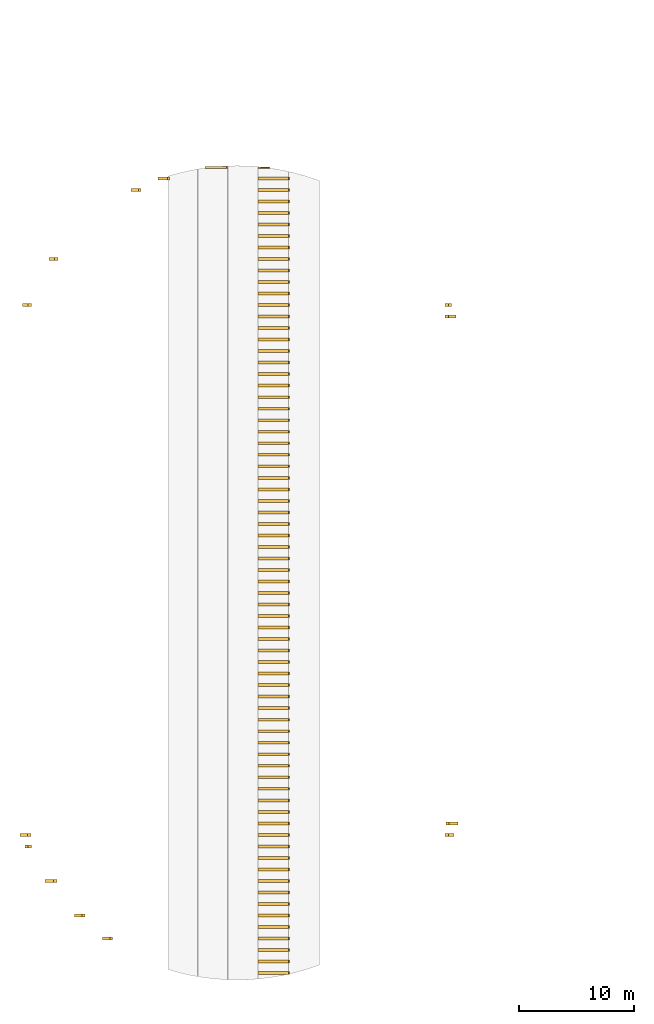
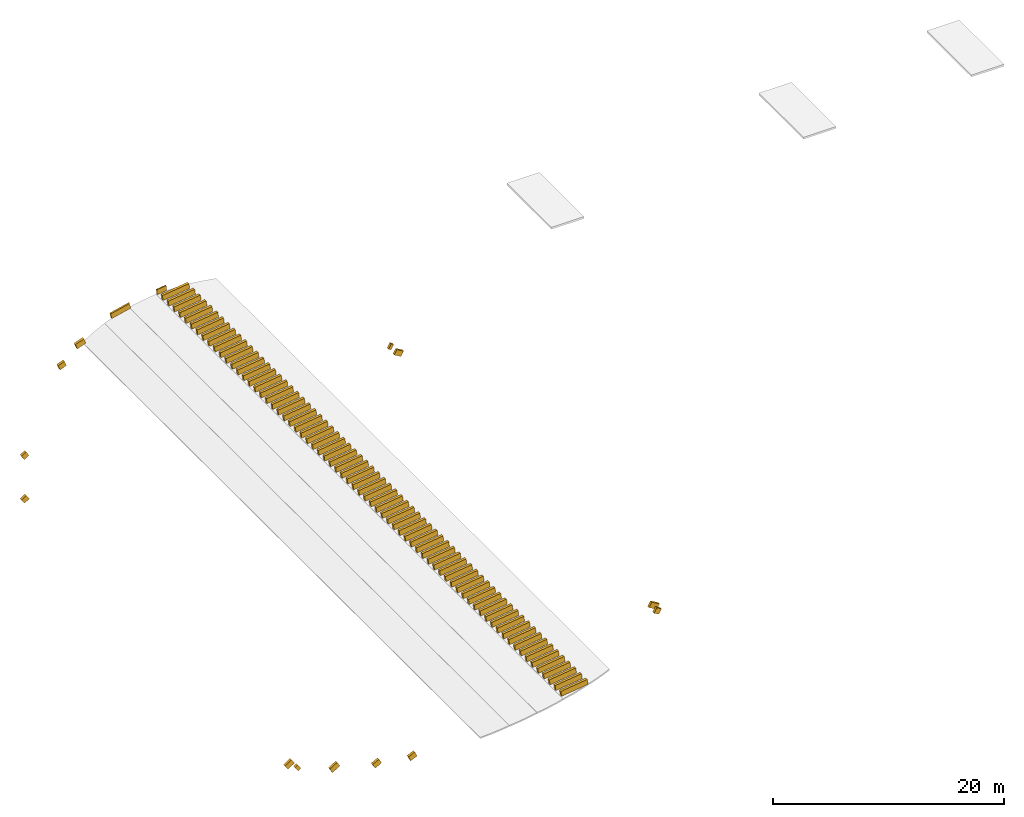
# One storey, part 2 of 2: 85 coverings.
"""IFC4 building model written with IfcOpenShell, lengths in metres."""

import ifcopenshell
import ifcopenshell.guid

model = None  # the IFC model being written
_history = None  # IfcOwnerHistory: only IFC2X3 demands one
_inside = {}  # id of a spatial element -> (the spatial element, [elements in it])
_under = {}  # id of a project, library or spatial element -> (it, [spatial elements below it])
_declared = {}  # id of a project -> (the project, [libraries it declares])
_typed = {}  # id of a type object -> (the type object, [elements of that type])
_made_of = {}  # id of a material, layer set ... -> (it, [elements and type objects made of it])


def new_model(schema):
    """Start an empty IFC model of exactly this schema.

    Asked for "IFC4X3", IfcOpenShell would pick the latest addendum, in which some entities
    have other attributes; the version numbers below select the first issue.
    IFC2X3 requires an IfcOwnerHistory on every rooted entity: one is made here for all.
    """
    global model, _history
    if schema == "IFC4X3":
        model = ifcopenshell.file(schema_version=(4, 3, 0, 0))
    else:
        model = ifcopenshell.file(schema=schema)
    _inside.clear()
    _under.clear()
    _declared.clear()
    _typed.clear()
    _made_of.clear()
    _history = None
    if model.schema == "IFC2X3":
        org = make("IfcOrganization", Name="unknown")
        user = make(
            "IfcPersonAndOrganization",
            ThePerson=make("IfcPerson", FamilyName="unknown"),
            TheOrganization=org,
        )
        app = make(
            "IfcApplication",
            ApplicationDeveloper=org,
            Version="unknown",
            ApplicationFullName="unknown",
            ApplicationIdentifier="unknown",
        )
        _history = make(
            "IfcOwnerHistory",
            OwningUser=user,
            OwningApplication=app,
            ChangeAction="ADDED",
            CreationDate=0,
        )
    return model


def make(cls, **values):
    """One entity of the class cls with the attributes given. An attribute that is None is left unset."""
    return model.create_entity(
        cls, **{name: value for name, value in values.items() if value is not None}
    )


def rooted(cls, **values):
    """An entity with a GlobalId (a new one), such as an element, a storey or a relation."""
    return make(cls, GlobalId=ifcopenshell.guid.new(), OwnerHistory=_history, **values)


def si_unit(unit_type, name, prefix=None):
    """IfcSIUnit, for example si_unit("LENGTHUNIT", "METRE", prefix="MILLI")."""
    return make("IfcSIUnit", UnitType=unit_type, Prefix=prefix, Name=name)


def assignment(units):
    """IfcUnitAssignment: the units of a project."""
    return None if units is None else make("IfcUnitAssignment", Units=units)


def point(xyz):
    """IfcCartesianPoint."""
    return None if xyz is None else make("IfcCartesianPoint", Coordinates=xyz)


def direction(xyz):
    """IfcDirection."""
    return None if xyz is None else make("IfcDirection", DirectionRatios=xyz)


def frame(location, z_axis=None, x_axis=None):
    """IfcAxis2Placement3D, a coordinate frame: its origin and axes. An axis left out is left unset."""
    return make(
        "IfcAxis2Placement3D",
        Location=point(location),
        Axis=direction(z_axis),
        RefDirection=direction(x_axis),
    )


def origin():
    """The frame at (0, 0, 0) with its axes left unset."""
    return frame((0.0, 0.0, 0.0))


def place(relative_to, where):
    """IfcLocalPlacement: puts the frame where relative to a parent placement (None: the world)."""
    return make(
        "IfcLocalPlacement", PlacementRelTo=relative_to, RelativePlacement=where
    )


def context(
    kind, dimensions, precision=None, world=None, true_north=None, identifier=None
):
    """IfcGeometricRepresentationContext, for example the 3D "Model" context."""
    return make(
        "IfcGeometricRepresentationContext",
        ContextIdentifier=identifier,
        ContextType=kind,
        CoordinateSpaceDimension=dimensions,
        Precision=precision,
        WorldCoordinateSystem=world,
        TrueNorth=true_north,
    )


def subcontext(parent, identifier, kind, view, scale=None):
    """IfcGeometricRepresentationSubContext, for example "Body" below "Model"."""
    return make(
        "IfcGeometricRepresentationSubContext",
        ContextIdentifier=identifier,
        ContextType=kind,
        ParentContext=parent,
        TargetScale=scale,
        TargetView=view,
    )


def project(units=None, contexts=None):
    """IfcProject with its units and contexts."""
    return rooted(
        "IfcProject",
        Name="project",
        RepresentationContexts=contexts,
        UnitsInContext=assignment(units),
    )


def spatial(cls, under=None, at=None, **own):
    """A site, building, storey or space (cls), placed at a placement, below another one or the project."""
    s = rooted(cls, ObjectPlacement=at, **own)
    if under is not None:
        _under.setdefault(under.id(), (under, []))[1].append(s)
    return s


def polyline(points):
    """IfcPolyline through the points."""
    return make("IfcPolyline", Points=[point(p) for p in points])


def outline(outer, holes=None, kind="AREA"):
    """IfcArbitraryClosedProfileDef: a profile drawn as a closed curve; with holes, ...WithVoids."""
    if holes is None:
        return make("IfcArbitraryClosedProfileDef", ProfileType=kind, OuterCurve=outer)
    return make(
        "IfcArbitraryProfileDefWithVoids",
        ProfileType=kind,
        OuterCurve=outer,
        InnerCurves=holes,
    )


def extrude(swept, where, along, depth):
    """IfcExtrudedAreaSolid: the profile swept, set in the frame where, extruded along a direction by depth."""
    return make(
        "IfcExtrudedAreaSolid",
        SweptArea=swept,
        Position=where,
        ExtrudedDirection=direction(along),
        Depth=depth,
    )


def shape(context_of_items, identifier, shape_type, items):
    """IfcShapeRepresentation: the items that make up one representation, for example the "Body"."""
    return make(
        "IfcShapeRepresentation",
        ContextOfItems=context_of_items,
        RepresentationIdentifier=identifier,
        RepresentationType=shape_type,
        Items=items,
    )


def material(Name=None, Category=None):
    """IfcMaterial."""
    return make("IfcMaterial", Name=Name, Category=Category)


def made_of(thing, what):
    """Note that an element or type object is made of a material, layer set ...; save() writes the relation."""
    if what is not None:
        _made_of.setdefault(what.id(), (what, []))[1].append(thing)
    return thing


def type_object(cls, material=None, **own):
    """A type object (cls), such as IfcWallType, which elements share."""
    return made_of(rooted(cls, **own), material)


def element(
    cls,
    number,
    at=None,
    inside=None,
    cuts=None,
    type_object=None,
    material=None,
    context=None,
    identifier="Body",
    shape_type=None,
    held_by="IfcProductDefinitionShape",
    body=None,
    shapes=None,
    **own,
):
    """One element of the class cls, such as IfcWall. Its Tag is "e" and its number.

    at: its placement. inside: the storey or other place that contains it. cuts: it is an
    opening in that element (IfcRelVoidsElement). A single representation is given by context,
    identifier, shape_type and body (its items); several are given by shapes. held_by: the class
    of the entity that holds the representations. save() writes the other relations.
    """
    e = rooted(cls, Tag="e%d" % number, ObjectPlacement=at, **own)
    if body is not None:
        shapes = [shape(context, identifier, shape_type, body)]
    if shapes is not None:
        e.Representation = make(held_by, Representations=shapes)
    if inside is not None:
        _inside.setdefault(inside.id(), (inside, []))[1].append(e)
    if cuts is not None:
        rooted(
            "IfcRelVoidsElement", RelatingBuildingElement=cuts, RelatedOpeningElement=e
        )
    if type_object is not None:
        _typed.setdefault(type_object.id(), (type_object, []))[1].append(e)
    return made_of(e, material)


def aggregate(whole, parts):
    """IfcRelAggregates: a whole, such as a stair, and the parts it consists of."""
    return rooted("IfcRelAggregates", RelatingObject=whole, RelatedObjects=parts)


def save(model, path):
    """Write the relations noted so far, then the file.

    IfcRelAggregates (storeys below a building ...), IfcRelContainedInSpatialStructure (elements
    in a storey), IfcRelDefinesByType, IfcRelAssociatesMaterial and IfcRelDeclares: one each for
    every whole, place, type object, material and project.
    """
    for whole, parts in _under.values():
        aggregate(whole, parts)
    for where, things in _inside.values():
        rooted(
            "IfcRelContainedInSpatialStructure",
            RelatedElements=things,
            RelatingStructure=where,
        )
    for kind, things in _typed.values():
        rooted("IfcRelDefinesByType", RelatedObjects=things, RelatingType=kind)
    for what, things in _made_of.values():
        rooted("IfcRelAssociatesMaterial", RelatedObjects=things, RelatingMaterial=what)
    for by, libraries in _declared.values():
        rooted("IfcRelDeclares", RelatingContext=by, RelatedDefinitions=libraries)
    model.write(path)


model = new_model("IFC4")

# Units and contexts
model_context = context("Model", 3, precision=1e-05, world=origin(), true_north=direction((0.0, 1.0)))
body_context = subcontext(model_context, "Body", "Model", "MODEL_VIEW")
ifc_project = project(units=[si_unit("LENGTHUNIT", "METRE"), si_unit("AREAUNIT", "SQUARE_METRE"), si_unit("VOLUMEUNIT", "CUBIC_METRE"), si_unit("PLANEANGLEUNIT", "RADIAN"), si_unit("MASSUNIT", "GRAM", prefix="KILO")], contexts=[model_context])

# Site, building, storey
site_placement = place(None, origin())
site = spatial("IfcSite", under=ifc_project, at=site_placement, CompositionType="ELEMENT")
building_placement = place(site_placement, origin())
building = spatial("IfcBuilding", under=site, at=building_placement, Name="Wasatch Bagh Community Centre", CompositionType="ELEMENT")
storey_placement = place(building_placement, frame((0.0, 0.0, 24.0)))
storey = spatial("IfcBuildingStorey", under=building, at=storey_placement, Name="Upper Roof", CompositionType="ELEMENT", Elevation=24.0)

# Coverings
ifc_material = material(Name="ASTM A653 Grade 50 steel, zinc-aluminium coated", Category="steel")
covering_type = type_object("IfcCoveringType", Name="MH roll-over fin rib", PredefinedType="ROOFING", material=ifc_material)
covering_1_placement = place(storey_placement, frame((18.003173828125, 26.125, 3.7431640625), z_axis=(-0.559630410697, 0.0, 0.82874230218), x_axis=(0.82874230218, 0.0, 0.559630410697)))
element("IfcCovering", 1, at=covering_1_placement, inside=storey, type_object=covering_type, Name="Seam rib 1.1", PredefinedType="ROOFING", context=body_context, shape_type="SweptSolid", body=[
    extrude(outline(polyline([(0.0, 0.0), (0.3193374307113407, 0.0), (0.3193374307113407, 0.25), (0.0, 0.25), (0.0, 0.0)])), origin(), (0.0, 0.0, -1.0), 0.550048828125),
])
covering_2_placement = place(storey_placement, frame((17.568359375, 27.125, 3.44970703125), z_axis=(-0.559535560644, 0.0, 0.828806344314), x_axis=(0.828806344314, 0.0, 0.559535560644)))
element("IfcCovering", 2, at=covering_2_placement, inside=storey, type_object=covering_type, Name="Seam rib 1.2", PredefinedType="ROOFING", context=body_context, shape_type="SweptSolid", body=[
    extrude(outline(polyline([(0.0, 0.0), (0.802405853988063, 0.0), (0.802405853988063, 0.25), (0.0, 0.25), (0.0, 0.0)])), origin(), (0.0, 0.0, -1.0), 0.550048828125),
])
covering_3_placement = place(storey_placement, frame((17.781494140625, 73.125, 3.593505859375), z_axis=(-0.559587178561, 0.0, 0.828771494195), x_axis=(0.828771494195, 0.0, 0.559587178561)))
element("IfcCovering", 3, at=covering_3_placement, inside=storey, type_object=covering_type, Name="Seam rib 1.48", PredefinedType="ROOFING", context=body_context, shape_type="SweptSolid", body=[
    extrude(outline(polyline([(0.0, 0.0), (0.5868060477541253, 0.0), (0.5868060477541253, 0.25), (0.0, 0.25), (0.0, 0.0)])), origin(), (0.0, 0.0, -1.0), 0.550048828125),
])
covering_4_placement = place(storey_placement, frame((19.740966796875, 23.125, 4.792236328125), z_axis=(-0.516186221462, 0.0, 0.856476377241), x_axis=(0.856476377241, 0.0, 0.516186221462)))
element("IfcCovering", 4, at=covering_4_placement, inside=storey, type_object=covering_type, Name="Seam rib 2.1", PredefinedType="ROOFING", context=body_context, shape_type="SweptSolid", body=[
    extrude(outline(polyline([(0.0, 0.0), (0.8702648992208214, 0.0), (0.8702648992208214, 0.25), (0.0, 0.25), (0.0, 0.0)])), origin(), (0.0, 0.0, -1.0), 0.550048828125),
])
covering_5_placement = place(storey_placement, frame((20.0947265625, 77.125, 5.00537109375), z_axis=(-0.516055634001, 0.0, 0.85655506689), x_axis=(0.85655506689, 0.0, 0.516055634001)))
element("IfcCovering", 5, at=covering_5_placement, inside=storey, type_object=covering_type, Name="Seam rib 2.55", PredefinedType="ROOFING", context=body_context, shape_type="SweptSolid", body=[
    extrude(outline(polyline([(0.0, 0.0), (0.5520957249624285, 0.0), (0.5520957249624285, 0.25), (0.0, 0.25), (0.0, 0.0)])), origin(), (0.0, 0.0, -1.0), 0.550048828125),
])
covering_6_placement = place(storey_placement, frame((22.301025390625, 20.125, 6.201416015625), z_axis=(-0.471204386986, 0.0, 0.882024050514), x_axis=(0.882024050514, 0.0, 0.471204386986)))
element("IfcCovering", 6, at=covering_6_placement, inside=storey, type_object=covering_type, Name="Seam rib 3.1", PredefinedType="ROOFING", context=body_context, shape_type="SweptSolid", body=[
    extrude(outline(polyline([(0.0, 0.0), (0.7196692931787086, 0.0), (0.7196692931787086, 0.24999999999999997), (0.0, 0.24999999999999997), (0.0, 0.0)])), origin(), (0.0, 0.0, -1.0), 0.550048828125),
])
covering_7_placement = place(storey_placement, frame((24.726806640625, 18.125, 7.368896484375), z_axis=(-0.424947613747, 0.0, 0.905217943686), x_axis=(0.905217943686, 0.0, 0.424947613747)))
element("IfcCovering", 7, at=covering_7_placement, inside=storey, type_object=covering_type, Name="Seam rib 4.1", PredefinedType="ROOFING", context=body_context, shape_type="SweptSolid", body=[
    extrude(outline(polyline([(0.0, 0.0), (0.7060842758458159, 0.0), (0.7060842758458159, 0.25), (0.0, 0.25), (0.0, 0.0)])), origin(), (0.0, 0.0, -1.0), 0.550048828125),
])
covering_8_placement = place(storey_placement, frame((27.227294921875, 83.125, 8.41748046875), z_axis=(-0.377745080183, 0.0, 0.925909636195), x_axis=(0.925909636195, 0.0, 0.377745080183)))
element("IfcCovering", 8, at=covering_8_placement, inside=storey, type_object=covering_type, Name="Seam rib 5.67", PredefinedType="ROOFING", context=body_context, shape_type="SweptSolid", body=[
    extrude(outline(polyline([(0.0, 0.0), (0.6747481989092708, 0.0), (0.6747481989092708, 0.25), (0.0, 0.25), (0.0, 0.0)])), origin(), (0.0, 0.0, -1.0), 0.550048828125),
])
covering_9_placement = place(storey_placement, frame((29.535888671875, 84.125, 9.250732421875), z_axis=(-0.329518108318, 0.0, 0.944149255304), x_axis=(0.944149255304, 0.0, 0.329518108318)))
element("IfcCovering", 9, at=covering_9_placement, inside=storey, type_object=covering_type, Name="Seam rib 6.69", PredefinedType="ROOFING", context=body_context, shape_type="SweptSolid", body=[
    extrude(outline(polyline([(0.0, 0.0), (0.9016777321940918, 0.0), (0.9016777321940918, 0.25), (0.0, 0.25), (0.0, 0.0)])), origin(), (0.0, 0.0, -1.0), 0.550048828125),
])
covering_10_placement = place(storey_placement, frame((33.62060546875, 85.125, 10.442138671875), z_axis=(-0.230260460237, 0.0, 0.973129035869), x_axis=(0.973129035869, 0.0, 0.230260460237)))
element("IfcCovering", 10, at=covering_10_placement, inside=storey, type_object=covering_type, Name="Seam rib 8.71", PredefinedType="ROOFING", context=body_context, shape_type="SweptSolid", body=[
    extrude(outline(polyline([(0.0, 0.0), (1.9498554328979913, 0.0), (1.9498554328979913, 0.17480468750000003), (0.0, 0.17480468750000003), (0.0, 0.0)])), origin(), (0.0, 0.0, -1.0), 0.550048828125),
])
for number, where, z_axis, x_axis, name in (
    (11, (38.234619140625, 15.125, 11.382080078125), (-0.128728987385, 0.0, 0.991679811132), (0.991679811132, 0.0, 0.128728987385), "Seam rib 10.1"),
    (12, (38.234619140625, 16.125, 11.382080078125), (-0.128728987385, 0.0, 0.991679811132), (0.991679811132, 0.0, 0.128728987385), "Seam rib 10.2"),
    (13, (38.234619140625, 17.125, 11.382080078125), (-0.128728987385, 0.0, 0.991679811132), (0.991679811132, 0.0, 0.128728987385), "Seam rib 10.3"),
    (14, (38.234619140625, 18.125, 11.382080078125), (-0.128728987385, 0.0, 0.991679811132), (0.991679811132, 0.0, 0.128728987385), "Seam rib 10.4"),
    (15, (38.234619140625, 19.125, 11.382080078125), (-0.128728987385, 0.0, 0.991679811132), (0.991679811132, 0.0, 0.128728987385), "Seam rib 10.5"),
    (16, (38.234619140625, 20.125, 11.382080078125), (-0.128728987385, 0.0, 0.991679811132), (0.991679811132, 0.0, 0.128728987385), "Seam rib 10.6"),
    (17, (38.234619140625, 21.125, 11.382080078125), (-0.128728987385, 0.0, 0.991679811132), (0.991679811132, 0.0, 0.128728987385), "Seam rib 10.7"),
    (18, (38.234619140625, 22.125, 11.382080078125), (-0.128728987385, 0.0, 0.991679811132), (0.991679811132, 0.0, 0.128728987385), "Seam rib 10.8"),
    (19, (38.234619140625, 23.125, 11.382080078125), (-0.128728987385, 0.0, 0.991679811132), (0.991679811132, 0.0, 0.128728987385), "Seam rib 10.9"),
    (20, (38.234619140625, 24.125, 11.382080078125), (-0.128728987385, 0.0, 0.991679811132), (0.991679811132, 0.0, 0.128728987385), "Seam rib 10.10"),
    (21, (38.234619140625, 25.125, 11.382080078125), (-0.128728987385, 0.0, 0.991679811132), (0.991679811132, 0.0, 0.128728987385), "Seam rib 10.11"),
    (22, (38.234619140625, 26.125, 11.382080078125), (-0.128728987385, 0.0, 0.991679811132), (0.991679811132, 0.0, 0.128728987385), "Seam rib 10.12"),
    (23, (38.234619140625, 27.125, 11.382080078125), (-0.128728987385, 0.0, 0.991679811132), (0.991679811132, 0.0, 0.128728987385), "Seam rib 10.13"),
    (24, (38.234619140625, 28.125, 11.382080078125), (-0.128728987385, 0.0, 0.991679811132), (0.991679811132, 0.0, 0.128728987385), "Seam rib 10.14"),
    (25, (38.234619140625, 29.125, 11.382080078125), (-0.128728987385, 0.0, 0.991679811132), (0.991679811132, 0.0, 0.128728987385), "Seam rib 10.15"),
    (26, (38.234619140625, 30.125, 11.382080078125), (-0.128728987385, 0.0, 0.991679811132), (0.991679811132, 0.0, 0.128728987385), "Seam rib 10.16"),
    (27, (38.234619140625, 31.125, 11.382080078125), (-0.128728987385, 0.0, 0.991679811132), (0.991679811132, 0.0, 0.128728987385), "Seam rib 10.17"),
    (28, (38.234619140625, 32.125, 11.382080078125), (-0.128728987385, 0.0, 0.991679811132), (0.991679811132, 0.0, 0.128728987385), "Seam rib 10.18"),
    (29, (38.234619140625, 33.125, 11.382080078125), (-0.128728987385, 0.0, 0.991679811132), (0.991679811132, 0.0, 0.128728987385), "Seam rib 10.19"),
    (30, (38.234619140625, 34.125, 11.382080078125), (-0.128728987385, 0.0, 0.991679811132), (0.991679811132, 0.0, 0.128728987385), "Seam rib 10.20"),
    (31, (38.234619140625, 35.125, 11.382080078125), (-0.128728987385, 0.0, 0.991679811132), (0.991679811132, 0.0, 0.128728987385), "Seam rib 10.21"),
    (32, (38.234619140625, 36.125, 11.382080078125), (-0.128728987385, 0.0, 0.991679811132), (0.991679811132, 0.0, 0.128728987385), "Seam rib 10.22"),
    (33, (38.234619140625, 37.125, 11.382080078125), (-0.128728987385, 0.0, 0.991679811132), (0.991679811132, 0.0, 0.128728987385), "Seam rib 10.23"),
    (34, (38.234619140625, 38.125, 11.382080078125), (-0.128728987385, 0.0, 0.991679811132), (0.991679811132, 0.0, 0.128728987385), "Seam rib 10.24"),
    (35, (38.234619140625, 39.125, 11.382080078125), (-0.128728987385, 0.0, 0.991679811132), (0.991679811132, 0.0, 0.128728987385), "Seam rib 10.25"),
    (36, (38.234619140625, 40.125, 11.382080078125), (-0.128728987385, 0.0, 0.991679811132), (0.991679811132, 0.0, 0.128728987385), "Seam rib 10.26"),
    (37, (38.234619140625, 41.125, 11.382080078125), (-0.128728987385, 0.0, 0.991679811132), (0.991679811132, 0.0, 0.128728987385), "Seam rib 10.27"),
    (38, (38.234619140625, 42.125, 11.382080078125), (-0.128728987385, 0.0, 0.991679811132), (0.991679811132, 0.0, 0.128728987385), "Seam rib 10.28"),
    (39, (38.234619140625, 43.125, 11.382080078125), (-0.128728987385, 0.0, 0.991679811132), (0.991679811132, 0.0, 0.128728987385), "Seam rib 10.29"),
    (40, (38.234619140625, 44.125, 11.382080078125), (-0.128728987385, 0.0, 0.991679811132), (0.991679811132, 0.0, 0.128728987385), "Seam rib 10.30"),
    (41, (38.234619140625, 45.125, 11.382080078125), (-0.128728987385, 0.0, 0.991679811132), (0.991679811132, 0.0, 0.128728987385), "Seam rib 10.31"),
    (42, (38.234619140625, 46.125, 11.382080078125), (-0.128728987385, 0.0, 0.991679811132), (0.991679811132, 0.0, 0.128728987385), "Seam rib 10.32"),
    (43, (38.234619140625, 47.125, 11.382080078125), (-0.128728987385, 0.0, 0.991679811132), (0.991679811132, 0.0, 0.128728987385), "Seam rib 10.33"),
    (44, (38.234619140625, 48.125, 11.382080078125), (-0.128728987385, 0.0, 0.991679811132), (0.991679811132, 0.0, 0.128728987385), "Seam rib 10.34"),
    (45, (38.234619140625, 49.125, 11.382080078125), (-0.128728987385, 0.0, 0.991679811132), (0.991679811132, 0.0, 0.128728987385), "Seam rib 10.35"),
    (46, (38.234619140625, 50.125, 11.382080078125), (-0.128728987385, 0.0, 0.991679811132), (0.991679811132, 0.0, 0.128728987385), "Seam rib 10.36"),
    (47, (38.234619140625, 51.125, 11.382080078125), (-0.128728987385, 0.0, 0.991679811132), (0.991679811132, 0.0, 0.128728987385), "Seam rib 10.37"),
    (48, (38.234619140625, 52.125, 11.382080078125), (-0.128728987385, 0.0, 0.991679811132), (0.991679811132, 0.0, 0.128728987385), "Seam rib 10.38"),
    (49, (38.234619140625, 53.125, 11.382080078125), (-0.128728987385, 0.0, 0.991679811132), (0.991679811132, 0.0, 0.128728987385), "Seam rib 10.39"),
    (50, (38.234619140625, 54.125, 11.382080078125), (-0.128728987385, 0.0, 0.991679811132), (0.991679811132, 0.0, 0.128728987385), "Seam rib 10.40"),
    (51, (38.234619140625, 55.125, 11.382080078125), (-0.128728987385, 0.0, 0.991679811132), (0.991679811132, 0.0, 0.128728987385), "Seam rib 10.41"),
    (52, (38.234619140625, 56.125, 11.382080078125), (-0.128728987385, 0.0, 0.991679811132), (0.991679811132, 0.0, 0.128728987385), "Seam rib 10.42"),
    (53, (38.234619140625, 57.125, 11.382080078125), (-0.128728987385, 0.0, 0.991679811132), (0.991679811132, 0.0, 0.128728987385), "Seam rib 10.43"),
    (54, (38.234619140625, 58.125, 11.382080078125), (-0.128728987385, 0.0, 0.991679811132), (0.991679811132, 0.0, 0.128728987385), "Seam rib 10.44"),
    (55, (38.234619140625, 59.125, 11.382080078125), (-0.128728987385, 0.0, 0.991679811132), (0.991679811132, 0.0, 0.128728987385), "Seam rib 10.45"),
    (56, (38.234619140625, 60.125, 11.382080078125), (-0.128728987385, 0.0, 0.991679811132), (0.991679811132, 0.0, 0.128728987385), "Seam rib 10.46"),
    (57, (38.234619140625, 61.125, 11.382080078125), (-0.128728987385, 0.0, 0.991679811132), (0.991679811132, 0.0, 0.128728987385), "Seam rib 10.47"),
    (58, (38.234619140625, 62.125, 11.382080078125), (-0.128728987385, 0.0, 0.991679811132), (0.991679811132, 0.0, 0.128728987385), "Seam rib 10.48"),
    (59, (38.234619140625, 63.125, 11.382080078125), (-0.128728987385, 0.0, 0.991679811132), (0.991679811132, 0.0, 0.128728987385), "Seam rib 10.49"),
    (60, (38.234619140625, 64.125, 11.382080078125), (-0.128728987385, 0.0, 0.991679811132), (0.991679811132, 0.0, 0.128728987385), "Seam rib 10.50"),
    (61, (38.234619140625, 65.125, 11.382080078125), (-0.128728987385, 0.0, 0.991679811132), (0.991679811132, 0.0, 0.128728987385), "Seam rib 10.51"),
    (62, (38.234619140625, 66.125, 11.382080078125), (-0.128728987385, 0.0, 0.991679811132), (0.991679811132, 0.0, 0.128728987385), "Seam rib 10.52"),
    (63, (38.234619140625, 67.125, 11.382080078125), (-0.128728987385, 0.0, 0.991679811132), (0.991679811132, 0.0, 0.128728987385), "Seam rib 10.53"),
    (64, (38.234619140625, 68.125, 11.382080078125), (-0.128728987385, 0.0, 0.991679811132), (0.991679811132, 0.0, 0.128728987385), "Seam rib 10.54"),
    (65, (38.234619140625, 69.125, 11.382080078125), (-0.128728987385, 0.0, 0.991679811132), (0.991679811132, 0.0, 0.128728987385), "Seam rib 10.55"),
    (66, (38.234619140625, 70.125, 11.382080078125), (-0.128728987385, 0.0, 0.991679811132), (0.991679811132, 0.0, 0.128728987385), "Seam rib 10.56"),
    (67, (38.234619140625, 71.125, 11.382080078125), (-0.128728987385, 0.0, 0.991679811132), (0.991679811132, 0.0, 0.128728987385), "Seam rib 10.57"),
    (68, (38.234619140625, 72.125, 11.382080078125), (-0.128728987385, 0.0, 0.991679811132), (0.991679811132, 0.0, 0.128728987385), "Seam rib 10.58"),
    (69, (38.234619140625, 73.125, 11.382080078125), (-0.128728987385, 0.0, 0.991679811132), (0.991679811132, 0.0, 0.128728987385), "Seam rib 10.59"),
    (70, (38.234619140625, 74.125, 11.382080078125), (-0.128728987385, 0.0, 0.991679811132), (0.991679811132, 0.0, 0.128728987385), "Seam rib 10.60"),
    (71, (38.234619140625, 75.125, 11.382080078125), (-0.128728987385, 0.0, 0.991679811132), (0.991679811132, 0.0, 0.128728987385), "Seam rib 10.61"),
    (72, (38.234619140625, 76.125, 11.382080078125), (-0.128728987385, 0.0, 0.991679811132), (0.991679811132, 0.0, 0.128728987385), "Seam rib 10.62"),
    (73, (38.234619140625, 77.125, 11.382080078125), (-0.128728987385, 0.0, 0.991679811132), (0.991679811132, 0.0, 0.128728987385), "Seam rib 10.63"),
    (74, (38.234619140625, 78.125, 11.382080078125), (-0.128728987385, 0.0, 0.991679811132), (0.991679811132, 0.0, 0.128728987385), "Seam rib 10.64"),
    (75, (38.234619140625, 79.125, 11.382080078125), (-0.128728987385, 0.0, 0.991679811132), (0.991679811132, 0.0, 0.128728987385), "Seam rib 10.65"),
    (76, (38.234619140625, 80.125, 11.382080078125), (-0.128728987385, 0.0, 0.991679811132), (0.991679811132, 0.0, 0.128728987385), "Seam rib 10.66"),
    (77, (38.234619140625, 81.125, 11.382080078125), (-0.128728987385, 0.0, 0.991679811132), (0.991679811132, 0.0, 0.128728987385), "Seam rib 10.67"),
    (78, (38.234619140625, 82.125, 11.382080078125), (-0.128728987385, 0.0, 0.991679811132), (0.991679811132, 0.0, 0.128728987385), "Seam rib 10.68"),
    (79, (38.234619140625, 83.125, 11.382080078125), (-0.128728987385, 0.0, 0.991679811132), (0.991679811132, 0.0, 0.128728987385), "Seam rib 10.69"),
    (80, (38.234619140625, 84.125, 11.382080078125), (-0.128728987385, 0.0, 0.991679811132), (0.991679811132, 0.0, 0.128728987385), "Seam rib 10.70"),
):
    element("IfcCovering", number, at=place(storey_placement, frame(where, z_axis=z_axis, x_axis=x_axis)), inside=storey, type_object=covering_type, Name=name, PredefinedType="ROOFING", context=body_context, shape_type="SweptSolid", body=[
        extrude(outline(polyline([(0.0, 0.0), (2.668442177273102, 0.0), (2.668442177273102, 0.25), (0.0, 0.25), (0.0, 0.0)])), origin(), (0.0, 0.0, -1.0), 0.550048828125),
    ])
covering_11_placement = place(storey_placement, frame((38.234619140625, 85.125, 11.382080078125), z_axis=(-0.128638033588, 0.0, 0.991691613514), x_axis=(0.991691613514, 0.0, 0.128638033588)))
element("IfcCovering", 81, at=covering_11_placement, inside=storey, type_object=covering_type, Name="Seam rib 10.71", PredefinedType="ROOFING", context=body_context, shape_type="SweptSolid", body=[
    extrude(outline(polyline([(0.0, 0.0), (0.952739950478894, 0.0), (0.952739950478894, 0.108642578125), (0.0, 0.108642578125), (0.0, 0.0)])), origin(), (0.0, 0.0, -1.0), 0.550048828125),
])
covering_12_placement = place(storey_placement, frame((54.75439453125, 27.125, 7.159423828125), z_axis=(0.499952654668, 0.0, 0.866052736899), x_axis=(0.866052736899, 0.0, -0.499952654668)))
element("IfcCovering", 82, at=covering_12_placement, inside=storey, type_object=covering_type, Name="Seam rib 14.1", PredefinedType="ROOFING", context=body_context, shape_type="SweptSolid", body=[
    extrude(outline(polyline([(0.0, 0.0), (0.5508334087808455, 0.0), (0.5508334087808455, 0.25), (0.0, 0.25), (0.0, 0.0)])), origin(), (0.0, 0.0, -1.0), 0.550048828125),
])
covering_13_placement = place(storey_placement, frame((54.827392578125, 28.125, 7.117431640625), z_axis=(0.500028425619, 0.0, 0.866008991624), x_axis=(0.866008991624, 0.0, -0.500028425619)))
element("IfcCovering", 83, at=covering_13_placement, inside=storey, type_object=covering_type, Name="Seam rib 14.2", PredefinedType="ROOFING", context=body_context, shape_type="SweptSolid", body=[
    extrude(outline(polyline([(0.0, 0.0), (0.897898172127592, 0.0), (0.897898172127592, 0.25), (0.0, 0.25), (0.0, 0.0)])), origin(), (0.0, 0.0, -1.0), 0.550048828125),
])
covering_14_placement = place(storey_placement, frame((54.75439453125, 72.125, 7.159423828125), z_axis=(0.499941024108, 0.0, 0.866059450854), x_axis=(0.866059450854, 0.0, -0.499941024108)))
element("IfcCovering", 84, at=covering_14_placement, inside=storey, type_object=covering_type, Name="Seam rib 14.46", PredefinedType="ROOFING", context=body_context, shape_type="SweptSolid", body=[
    extrude(outline(polyline([(0.0, 0.0), (0.7735287390944684, 0.0), (0.7735287390944684, 0.25), (0.0, 0.25), (0.0, 0.0)])), origin(), (0.0, 0.0, -1.0), 0.550048828125),
])
covering_15_placement = place(storey_placement, frame((54.75439453125, 73.125, 7.159423828125), z_axis=(0.499583827826, 0.0, 0.866265547609), x_axis=(0.866265547609, 0.0, -0.499583827826)))
element("IfcCovering", 85, at=covering_15_placement, inside=storey, type_object=covering_type, Name="Seam rib 14.47", PredefinedType="ROOFING", context=body_context, shape_type="SweptSolid", body=[
    extrude(outline(polyline([(0.0, 0.0), (0.3049413161808136, 0.0), (0.3049413161808136, 0.25000000000000006), (0.0, 0.25000000000000006), (0.0, 0.0)])), origin(), (0.0, 0.0, -1.0), 0.550048828125),
])

save(model, "model.ifc")
